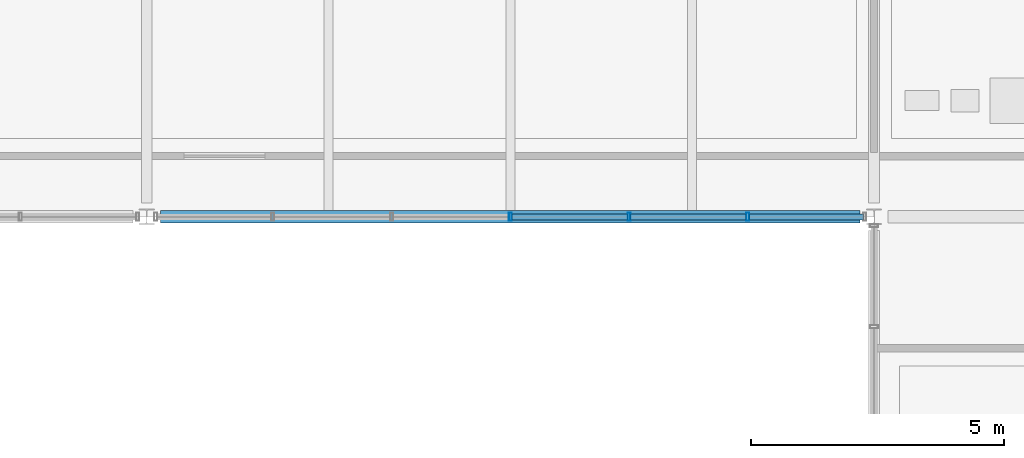
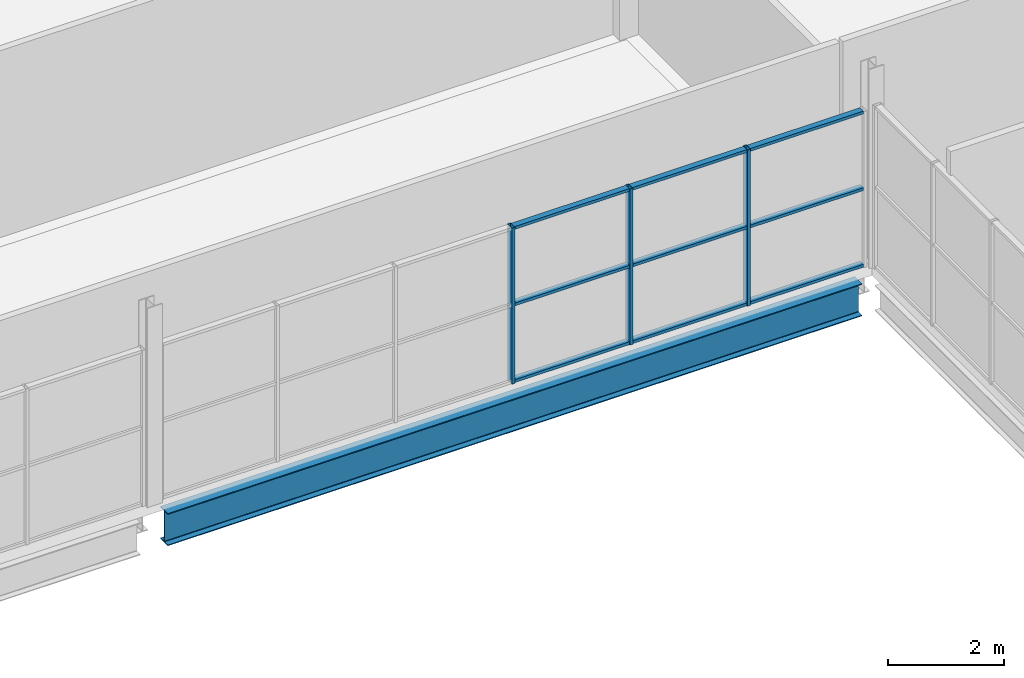
# One storey, part 36 of 161: 12 members, 1 beam, 1 element without a shape of its own.
"""IFC4 building model written with IfcOpenShell, lengths in metres."""

from ifc_helpers import new_model, si_unit, direction, frame, origin, origin_2d, place, context, subcontext, project, spatial, hollow_rectangle, i_section, extrude, material, material_profile, profile_set, type_object, element, aggregate, save


model = new_model("IFC4")

# Units and contexts
model_context = context("Model", 3, precision=1e-05, world=origin(), true_north=direction((0.0, 1.0)))
body_context = subcontext(model_context, "Body", "Model", "MODEL_VIEW")
ifc_project = project(units=[si_unit("LENGTHUNIT", "METRE"), si_unit("AREAUNIT", "SQUARE_METRE"), si_unit("VOLUMEUNIT", "CUBIC_METRE"), si_unit("PLANEANGLEUNIT", "RADIAN"), si_unit("MASSUNIT", "GRAM", prefix="KILO"), si_unit("THERMODYNAMICTEMPERATUREUNIT", "KELVIN")], contexts=[model_context])

# Site, building, storey
site_placement = place(None, origin())
site = spatial("IfcSite", under=ifc_project, at=site_placement, CompositionType="ELEMENT")
building_placement = place(site_placement, origin())
building = spatial("IfcBuilding", under=site, at=building_placement, Name="Nduvali Passage Aquatics Centre", CompositionType="ELEMENT")
storey_placement = place(building_placement, frame((0.0, 0.0, 4.800048828125)))
storey = spatial("IfcBuildingStorey", under=building, at=storey_placement, Name="L01", CompositionType="ELEMENT", Elevation=4.800048828125)

# Curtain wall, members
ifc_material_1 = material(Name="Aluminium EN AW-6063 T6", Category="aluminium")
curtain_wall_type = type_object("IfcCurtainWallType", Name="ENV-CW-COUR", PredefinedType="NOTDEFINED", material=ifc_material_1)
curtain_wall_placement = place(storey_placement, origin())
curtain_wall = element("IfcCurtainWall", 1, at=curtain_wall_placement, inside=storey, type_object=curtain_wall_type, Name="L01 Monsoon Courtyard Upper Cloister CW 166", PredefinedType="NOTDEFINED")
ifc_material_profile_1 = material_profile(ifc_material_1, hollow_rectangle(XDim=0.06005859375, YDim=0.159912109375, WallThickness=0.00390625, at=origin_2d()), Name="ALU MULLION 60x160x4")
ifc_profile_set_1 = profile_set([ifc_material_profile_1], Name="Aluminium EN AW-6063 T6")
member_type_1 = type_object("IfcMemberType", Name="ENV-MEM-MUL60", PredefinedType="MULLION", material=ifc_profile_set_1)
member_1_placement = place(storey_placement, frame((90.0, 16.800048828125, 0.0), z_axis=(0.0, 0.0, 1.0), x_axis=(1.0, 0.0, 0.0)))
member_1 = element("IfcMember", 2, at=member_1_placement, type_object=member_type_1, Name="Monsoon Courtyard Upper Cloister CW Mullion 4", PredefinedType="MULLION", context=body_context, shape_type="SweptSolid", body=[
    extrude(hollow_rectangle(XDim=0.06005859375, YDim=0.159912109375, WallThickness=0.00390625, at=origin_2d()), origin(), (0.0, 0.0, 1.0), 3.29248046875),
])
member_2_placement = place(storey_placement, frame((92.35009765625, 16.800048828125, 0.0), z_axis=(0.0, 0.0, 1.0), x_axis=(1.0, 0.0, 0.0)))
member_2 = element("IfcMember", 3, at=member_2_placement, type_object=member_type_1, Name="Monsoon Courtyard Upper Cloister CW Mullion 5", PredefinedType="MULLION", context=body_context, shape_type="SweptSolid", body=[
    extrude(hollow_rectangle(XDim=0.06005859375, YDim=0.159912109375, WallThickness=0.00390625, at=origin_2d()), origin(), (0.0, 0.0, 1.0), 3.29248046875),
])
member_3_placement = place(storey_placement, frame((94.699951171875, 16.800048828125, 0.0), z_axis=(0.0, 0.0, 1.0), x_axis=(1.0, 0.0, 0.0)))
member_3 = element("IfcMember", 4, at=member_3_placement, type_object=member_type_1, Name="Monsoon Courtyard Upper Cloister CW Mullion 6", PredefinedType="MULLION", context=body_context, shape_type="SweptSolid", body=[
    extrude(hollow_rectangle(XDim=0.06005859375, YDim=0.159912109375, WallThickness=0.00390625, at=origin_2d()), origin(), (0.0, 0.0, 1.0), 3.29248046875),
])
ifc_material_profile_2 = material_profile(ifc_material_1, hollow_rectangle(XDim=0.1201171875, YDim=0.06005859375, WallThickness=0.00390625, at=origin_2d()), Name="ALU TRANSOM 120x60x4")
ifc_profile_set_2 = profile_set([ifc_material_profile_2], Name="Aluminium EN AW-6063 T6")
member_type_2 = type_object("IfcMemberType", Name="ENV-MEM-TRN60", PredefinedType="USERDEFINED", material=ifc_profile_set_2)
member_4_placement = place(storey_placement, frame((90.030029296875, 16.800048828125, 0.030029296875), z_axis=(1.0, 0.0, 0.0), x_axis=(0.0, 1.0, 0.0)))
member_4 = element("IfcMember", 5, at=member_4_placement, type_object=member_type_2, Name="Monsoon Courtyard Upper Cloister CW Transom B4-R0", ObjectType="TRANSOM", PredefinedType="USERDEFINED", context=body_context, shape_type="SweptSolid", body=[
    extrude(hollow_rectangle(XDim=0.1201171875, YDim=0.06005859375, WallThickness=0.00390625, at=origin_2d()), origin(), (0.0, 0.0, 1.0), 2.2900390625),
])
member_5_placement = place(storey_placement, frame((90.030029296875, 16.800048828125, 1.646240234375), z_axis=(1.0, 0.0, 0.0), x_axis=(0.0, 1.0, 0.0)))
member_5 = element("IfcMember", 6, at=member_5_placement, type_object=member_type_2, Name="Monsoon Courtyard Upper Cloister CW Transom B4-R1", ObjectType="TRANSOM", PredefinedType="USERDEFINED", context=body_context, shape_type="SweptSolid", body=[
    extrude(hollow_rectangle(XDim=0.1201171875, YDim=0.06005859375, WallThickness=0.00390625, at=origin_2d()), origin(), (0.0, 0.0, 1.0), 2.2900390625),
])
member_6_placement = place(storey_placement, frame((90.030029296875, 16.800048828125, 3.262451171875), z_axis=(1.0, 0.0, 0.0), x_axis=(0.0, 1.0, 0.0)))
member_6 = element("IfcMember", 7, at=member_6_placement, type_object=member_type_2, Name="Monsoon Courtyard Upper Cloister CW Transom B4-R2", ObjectType="TRANSOM", PredefinedType="USERDEFINED", context=body_context, shape_type="SweptSolid", body=[
    extrude(hollow_rectangle(XDim=0.1201171875, YDim=0.06005859375, WallThickness=0.00390625, at=origin_2d()), origin(), (0.0, 0.0, 1.0), 2.2900390625),
])
member_7_placement = place(storey_placement, frame((92.3798828125, 16.800048828125, 0.030029296875), z_axis=(1.0, 0.0, 0.0), x_axis=(0.0, 1.0, 0.0)))
member_7 = element("IfcMember", 8, at=member_7_placement, type_object=member_type_2, Name="Monsoon Courtyard Upper Cloister CW Transom B5-R0", ObjectType="TRANSOM", PredefinedType="USERDEFINED", context=body_context, shape_type="SweptSolid", body=[
    extrude(hollow_rectangle(XDim=0.1201171875, YDim=0.06005859375, WallThickness=0.00390625, at=origin_2d()), origin(), (0.0, 0.0, 1.0), 2.2900390625),
])
member_8_placement = place(storey_placement, frame((92.3798828125, 16.800048828125, 1.646240234375), z_axis=(1.0, 0.0, 0.0), x_axis=(0.0, 1.0, 0.0)))
member_8 = element("IfcMember", 9, at=member_8_placement, type_object=member_type_2, Name="Monsoon Courtyard Upper Cloister CW Transom B5-R1", ObjectType="TRANSOM", PredefinedType="USERDEFINED", context=body_context, shape_type="SweptSolid", body=[
    extrude(hollow_rectangle(XDim=0.1201171875, YDim=0.06005859375, WallThickness=0.00390625, at=origin_2d()), origin(), (0.0, 0.0, 1.0), 2.2900390625),
])
member_9_placement = place(storey_placement, frame((92.3798828125, 16.800048828125, 3.262451171875), z_axis=(1.0, 0.0, 0.0), x_axis=(0.0, 1.0, 0.0)))
member_9 = element("IfcMember", 10, at=member_9_placement, type_object=member_type_2, Name="Monsoon Courtyard Upper Cloister CW Transom B5-R2", ObjectType="TRANSOM", PredefinedType="USERDEFINED", context=body_context, shape_type="SweptSolid", body=[
    extrude(hollow_rectangle(XDim=0.1201171875, YDim=0.06005859375, WallThickness=0.00390625, at=origin_2d()), origin(), (0.0, 0.0, 1.0), 2.2900390625),
])
member_10_placement = place(storey_placement, frame((94.72998046875, 16.800048828125, 0.030029296875), z_axis=(1.0, 0.0, 0.0), x_axis=(0.0, 1.0, 0.0)))
member_10 = element("IfcMember", 11, at=member_10_placement, type_object=member_type_2, Name="Monsoon Courtyard Upper Cloister CW Transom B6-R0", ObjectType="TRANSOM", PredefinedType="USERDEFINED", context=body_context, shape_type="SweptSolid", body=[
    extrude(hollow_rectangle(XDim=0.1201171875, YDim=0.06005859375, WallThickness=0.00390625, at=origin_2d()), origin(), (0.0, 0.0, 1.0), 2.260009765625),
])
member_11_placement = place(storey_placement, frame((94.72998046875, 16.800048828125, 1.646240234375), z_axis=(1.0, 0.0, 0.0), x_axis=(0.0, 1.0, 0.0)))
member_11 = element("IfcMember", 12, at=member_11_placement, type_object=member_type_2, Name="Monsoon Courtyard Upper Cloister CW Transom B6-R1", ObjectType="TRANSOM", PredefinedType="USERDEFINED", context=body_context, shape_type="SweptSolid", body=[
    extrude(hollow_rectangle(XDim=0.1201171875, YDim=0.06005859375, WallThickness=0.00390625, at=origin_2d()), origin(), (0.0, 0.0, 1.0), 2.260009765625),
])
member_12_placement = place(storey_placement, frame((94.72998046875, 16.800048828125, 3.262451171875), z_axis=(1.0, 0.0, 0.0), x_axis=(0.0, 1.0, 0.0)))
member_12 = element("IfcMember", 13, at=member_12_placement, type_object=member_type_2, Name="Monsoon Courtyard Upper Cloister CW Transom B6-R2", ObjectType="TRANSOM", PredefinedType="USERDEFINED", context=body_context, shape_type="SweptSolid", body=[
    extrude(hollow_rectangle(XDim=0.1201171875, YDim=0.06005859375, WallThickness=0.00390625, at=origin_2d()), origin(), (0.0, 0.0, 1.0), 2.260009765625),
])
aggregate(curtain_wall, [member_1, member_2, member_3, member_4, member_5, member_6, member_7, member_8, member_9, member_10, member_11, member_12])

# Beam
ifc_material_2 = material(Name="Steel S355", Category="steel")
ifc_material_profile_3 = material_profile(ifc_material_2, i_section(OverallWidth=0.253662109375, OverallDepth=0.68359375, WebThickness=0.012451171875, FlangeThickness=0.01904296875, FilletRadius=0.01513671875, at=origin_2d()), Name="UKB 686x254x140")
ifc_profile_set_3 = profile_set([ifc_material_profile_3], Name="Steel S355")
beam_type = type_object("IfcBeamType", Name="STR-BM-UKB686", PredefinedType="BEAM", material=ifc_profile_set_3)
beam_placement = place(storey_placement, frame((83.074951171875, 16.800048828125, -0.625732421875), z_axis=(1.0, 0.0, 0.0), x_axis=(0.0, 1.0, 0.0)))
element("IfcBeam", 14, at=beam_placement, inside=storey, type_object=beam_type, Name="L01 Primary X-Girder B4-0439", PredefinedType="BEAM", context=body_context, shape_type="SweptSolid", body=[
    extrude(i_section(OverallWidth=0.253662109375, OverallDepth=0.68359375, WebThickness=0.012451171875, FlangeThickness=0.01904296875, FilletRadius=0.01513671875, at=origin_2d()), origin(), (0.0, 0.0, 1.0), 13.85009765625),
])

save(model, "model.ifc")
